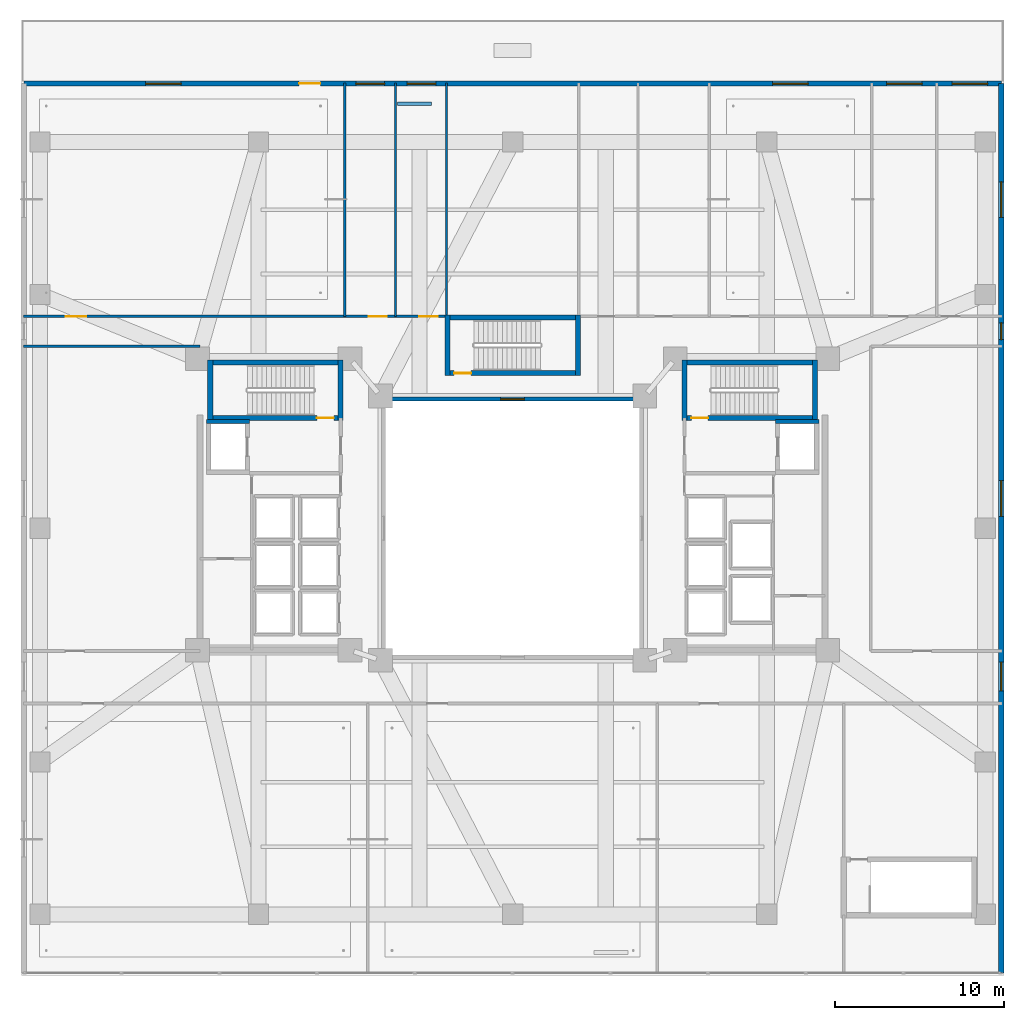
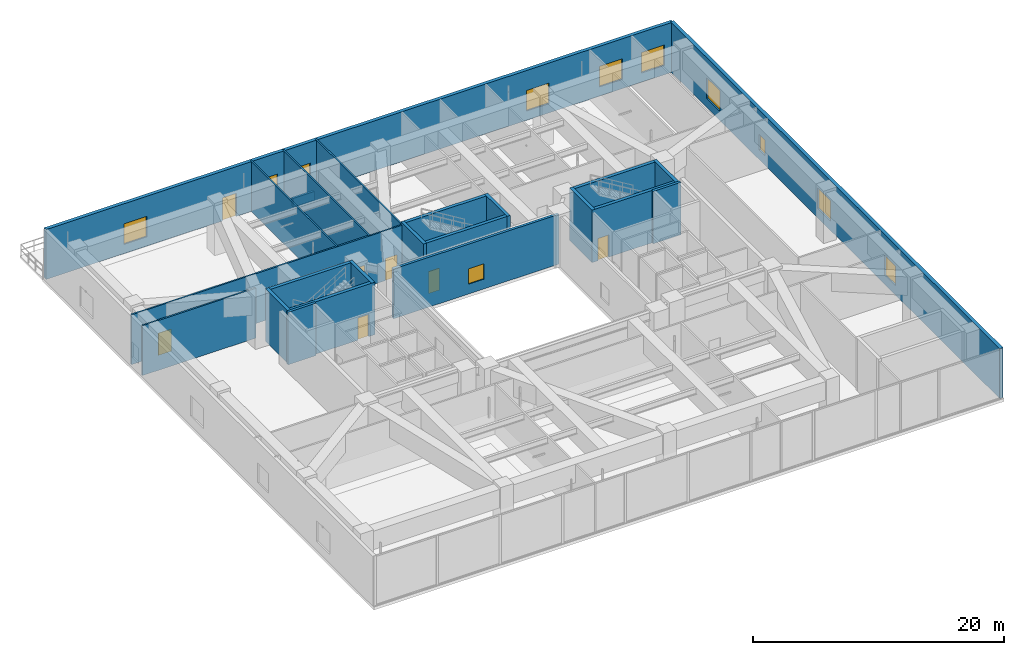
# One storey, part 12 of 21: 23 walls, 11 windows, 7 doors, 18 openings.
"""IFC4 building model written with IfcOpenShell, lengths in metres."""

from ifc_helpers import new_model, si_unit, direction, frame, frame_2d, origin, place, context, subcontext, project, spatial, rectangle, extrude, material, layer, layer_set, type_object, element, fill, save


model = new_model("IFC4")

# Units and contexts
model_context = context("Model", 3, precision=1e-05, world=origin(), true_north=direction((0.0, 1.0)))
body_context = subcontext(model_context, "Body", "Model", "MODEL_VIEW")
ifc_project = project(units=[si_unit("LENGTHUNIT", "METRE"), si_unit("AREAUNIT", "SQUARE_METRE"), si_unit("VOLUMEUNIT", "CUBIC_METRE"), si_unit("PLANEANGLEUNIT", "RADIAN"), si_unit("MASSUNIT", "GRAM", prefix="KILO")], contexts=[model_context])

# Site, building, storey
site_placement = place(None, origin())
site = spatial("IfcSite", under=ifc_project, at=site_placement, CompositionType="ELEMENT")
building_placement = place(site_placement, origin())
building = spatial("IfcBuilding", under=site, at=building_placement, Name="Tarnavaz Court Tower", CompositionType="ELEMENT")
storey_placement = place(building_placement, frame((0.0, 0.0, 18.89990234375)))
storey = spatial("IfcBuildingStorey", under=building, at=storey_placement, Name="L04", CompositionType="ELEMENT", Elevation=18.89990234375)

# Walls
ifc_material_1 = material(Name="Concrete C60/75", Category="concrete")
ifc_layer_1 = layer(ifc_material_1, 0.25)
ifc_layer_set_1 = layer_set([ifc_layer_1], Name="Concrete C60/75")
wall_type_1 = type_object("IfcWallType", Name="WL-CORE-250-C60", PredefinedType="SHEAR", material=ifc_layer_set_1)
for number, where, z_axis, x_axis, name in (
    (1, (-18.074951171875, 6.300048828125, 0.0), (0.0, 0.0, 1.0), (1.0, 0.0, 0.0), "L04 Lift FL-W1 Shaft Wall 024"),
    (2, (15.52490234375, 6.300048828125, 0.0), (0.0, 0.0, 1.0), (1.0, 0.0, 0.0), "L04 Lift FL-E1 Shaft Wall 052"),
):
    element("IfcWall", number, at=place(storey_placement, frame(where, z_axis=z_axis, x_axis=x_axis)), inside=storey, type_object=wall_type_1, Name=name, PredefinedType="SHEAR", context=body_context, shape_type="SweptSolid", body=[
        extrude(rectangle(XDim=2.550048828125, YDim=0.25, at=frame_2d((1.27490234375, 0.0))), origin(), (0.0, 0.0, 1.0), 5.10009765625),
    ])
ifc_layer_2 = layer(ifc_material_1, 0.300048828125)
ifc_layer_set_2 = layer_set([ifc_layer_2], Name="Concrete C60/75")
wall_type_2 = type_object("IfcWallType", Name="WL-CORE-300-C60", PredefinedType="SHEAR", material=ifc_layer_set_2)
wall_1_placement = place(storey_placement, frame((-18.0, 9.7900390625, 0.0), z_axis=(0.0, 0.0, 1.0), x_axis=(1.0, 0.0, 0.0)))
element("IfcWall", 3, at=wall_1_placement, inside=storey, type_object=wall_type_2, Name="L04 West Stair Core Wall 001", PredefinedType="SHEAR", context=body_context, shape_type="SweptSolid", body=[
    extrude(rectangle(XDim=8.0, YDim=0.300048828125, at=frame_2d((4.0, 0.0))), origin(), (0.0, 0.0, 1.0), 5.10009765625),
])

# Wall, opening, door
wall_2_placement = place(storey_placement, frame((-18.0, 6.5, 0.0), z_axis=(0.0, 0.0, 1.0), x_axis=(1.0, 0.0, 0.0)))
wall_2 = element("IfcWall", 4, at=wall_2_placement, inside=storey, type_object=wall_type_2, Name="L04 West Stair Core Wall 002", PredefinedType="SHEAR", context=body_context, shape_type="SweptSolid", body=[
    extrude(rectangle(XDim=8.0, YDim=0.300048828125, at=frame_2d((4.0, 0.0))), origin(), (0.0, 0.0, 1.0), 5.10009765625),
])
opening_1_placement = place(wall_2_placement, frame((6.449951171875, 0.0, 0.0)))
opening_1 = element("IfcOpeningElement", 5, at=opening_1_placement, cuts=wall_2, Name="Opening D01", PredefinedType="OPENING", context=body_context, shape_type="SweptSolid", body=[
    extrude(rectangle(XDim=1.0, YDim=2.14990234375, at=frame_2d((0.5, 1.074951171875))), frame((0.0, 0.159912109375, 0.0), z_axis=(0.0, -1.0, 0.0), x_axis=(1.0, 0.0, 0.0)), (0.0, 0.0, 1.0), 0.320068359375),
])
ifc_material_2 = material(Name="Fire-Rated Hardwood Timber Core", Category="wood")
door_type_1 = type_object("IfcDoorType", Name="DR-FD90-1000", OperationType="NOTDEFINED", PredefinedType="DOOR", material=ifc_material_2)
door_1_placement = place(opening_1_placement, origin())
door_1 = element("IfcDoor", 6, at=door_1_placement, inside=storey, type_object=door_type_1, Name="L04 Stair ST-W1 Exit Door", OperationType="SINGLE_SWING_LEFT", OverallHeight=2.14990234375, OverallWidth=1.0, PredefinedType="DOOR", context=body_context, shape_type="SweptSolid", body=[
    extrude(rectangle(XDim=1.0, YDim=2.14990234375, at=frame_2d((0.5, 1.074951171875))), frame((0.0, 0.02490234375, 0.0), z_axis=(0.0, -1.0, 0.0), x_axis=(1.0, 0.0, 0.0)), (0.0, 0.0, 1.0), 0.050048828125),
])
fill(opening_1, door_1)

# Walls
for number, where, z_axis, x_axis, name in (
    (7, (-17.85009765625, 6.35009765625, 0.0), (0.0, 0.0, 1.0), (0.0, 1.0, 0.0), "L04 West Stair Core Wall 003"),
    (8, (-10.14990234375, 6.35009765625, 0.0), (0.0, 0.0, 1.0), (0.0, 1.0, 0.0), "L04 West Stair Core Wall 004"),
):
    element("IfcWall", number, at=place(storey_placement, frame(where, z_axis=z_axis, x_axis=x_axis)), inside=storey, type_object=wall_type_2, Name=name, PredefinedType="SHEAR", context=body_context, shape_type="SweptSolid", body=[
        extrude(rectangle(XDim=3.58984375, YDim=0.300048828125, at=frame_2d((1.794921875, 0.0))), origin(), (0.0, 0.0, 1.0), 5.10009765625),
    ])
wall_3_placement = place(storey_placement, frame((10.0, 9.7900390625, 0.0), z_axis=(0.0, 0.0, 1.0), x_axis=(1.0, 0.0, 0.0)))
element("IfcWall", 9, at=wall_3_placement, inside=storey, type_object=wall_type_2, Name="L04 East Stair Core Wall 005", PredefinedType="SHEAR", context=body_context, shape_type="SweptSolid", body=[
    extrude(rectangle(XDim=8.0, YDim=0.300048828125, at=frame_2d((4.0, 0.0))), origin(), (0.0, 0.0, 1.0), 5.10009765625),
])

# Wall, opening, door
wall_4_placement = place(storey_placement, frame((10.0, 6.5, 0.0), z_axis=(0.0, 0.0, 1.0), x_axis=(1.0, 0.0, 0.0)))
wall_4 = element("IfcWall", 10, at=wall_4_placement, inside=storey, type_object=wall_type_2, Name="L04 East Stair Core Wall 006", PredefinedType="SHEAR", context=body_context, shape_type="SweptSolid", body=[
    extrude(rectangle(XDim=8.0, YDim=0.300048828125, at=frame_2d((4.0, 0.0))), origin(), (0.0, 0.0, 1.0), 5.10009765625),
])
opening_2_placement = place(wall_4_placement, frame((0.550048828125, 0.0, 0.0)))
opening_2 = element("IfcOpeningElement", 11, at=opening_2_placement, cuts=wall_4, Name="Opening D01", PredefinedType="OPENING", context=body_context, shape_type="SweptSolid", body=[
    extrude(rectangle(XDim=1.0, YDim=2.14990234375, at=frame_2d((0.5, 1.074951171875))), frame((0.0, 0.159912109375, 0.0), z_axis=(0.0, -1.0, 0.0), x_axis=(1.0, 0.0, 0.0)), (0.0, 0.0, 1.0), 0.320068359375),
])
door_2_placement = place(opening_2_placement, origin())
door_2 = element("IfcDoor", 12, at=door_2_placement, inside=storey, type_object=door_type_1, Name="L04 Stair ST-E1 Exit Door", OperationType="SINGLE_SWING_RIGHT", OverallHeight=2.14990234375, OverallWidth=1.0, PredefinedType="DOOR", context=body_context, shape_type="SweptSolid", body=[
    extrude(rectangle(XDim=1.0, YDim=2.14990234375, at=frame_2d((0.5, 1.074951171875))), frame((0.0, 0.02490234375, 0.0), z_axis=(0.0, -1.0, 0.0), x_axis=(1.0, 0.0, 0.0)), (0.0, 0.0, 1.0), 0.050048828125),
])
fill(opening_2, door_2)

# Walls
for number, where, z_axis, x_axis, name in (
    (13, (10.14990234375, 6.35009765625, 0.0), (0.0, 0.0, 1.0), (0.0, 1.0, 0.0), "L04 East Stair Core Wall 007"),
    (14, (17.85009765625, 6.35009765625, 0.0), (0.0, 0.0, 1.0), (0.0, 1.0, 0.0), "L04 East Stair Core Wall 008"),
):
    element("IfcWall", number, at=place(storey_placement, frame(where, z_axis=z_axis, x_axis=x_axis)), inside=storey, type_object=wall_type_2, Name=name, PredefinedType="SHEAR", context=body_context, shape_type="SweptSolid", body=[
        extrude(rectangle(XDim=3.58984375, YDim=0.300048828125, at=frame_2d((1.794921875, 0.0))), origin(), (0.0, 0.0, 1.0), 5.10009765625),
    ])
wall_5_placement = place(storey_placement, frame((-4.0, 12.43994140625, 0.0), z_axis=(0.0, 0.0, 1.0), x_axis=(1.0, 0.0, 0.0)))
element("IfcWall", 15, at=wall_5_placement, inside=storey, type_object=wall_type_2, Name="L04 North Stair Core Wall 009", PredefinedType="SHEAR", context=body_context, shape_type="SweptSolid", body=[
    extrude(rectangle(XDim=8.0, YDim=0.300048828125, at=frame_2d((4.0, 0.0))), origin(), (0.0, 0.0, 1.0), 5.10009765625),
])

# Wall, opening, door
wall_6_placement = place(storey_placement, frame((-4.0, 9.14990234375, 0.0), z_axis=(0.0, 0.0, 1.0), x_axis=(1.0, 0.0, 0.0)))
wall_6 = element("IfcWall", 16, at=wall_6_placement, inside=storey, type_object=wall_type_2, Name="L04 North Stair Core Wall 010", PredefinedType="SHEAR", context=body_context, shape_type="SweptSolid", body=[
    extrude(rectangle(XDim=8.0, YDim=0.300048828125, at=frame_2d((4.0, 0.0))), origin(), (0.0, 0.0, 1.0), 5.10009765625),
])
opening_3_placement = place(wall_6_placement, frame((0.550048828125, 0.0, 0.0)))
opening_3 = element("IfcOpeningElement", 17, at=opening_3_placement, cuts=wall_6, Name="Opening D01", PredefinedType="OPENING", context=body_context, shape_type="SweptSolid", body=[
    extrude(rectangle(XDim=1.0, YDim=2.14990234375, at=frame_2d((0.5, 1.074951171875))), frame((0.0, 0.159912109375, 0.0), z_axis=(0.0, -1.0, 0.0), x_axis=(1.0, 0.0, 0.0)), (0.0, 0.0, 1.0), 0.320068359375),
])
door_3_placement = place(opening_3_placement, origin())
door_3 = element("IfcDoor", 18, at=door_3_placement, inside=storey, type_object=door_type_1, Name="L04 Stair ST-N1 Exit Door", OperationType="SINGLE_SWING_LEFT", OverallHeight=2.14990234375, OverallWidth=1.0, PredefinedType="DOOR", context=body_context, shape_type="SweptSolid", body=[
    extrude(rectangle(XDim=1.0, YDim=2.14990234375, at=frame_2d((0.5, 1.074951171875))), frame((0.0, 0.02490234375, 0.0), z_axis=(0.0, -1.0, 0.0), x_axis=(1.0, 0.0, 0.0)), (0.0, 0.0, 1.0), 0.050048828125),
])
fill(opening_3, door_3)

# Walls
for number, where, z_axis, x_axis, name in (
    (19, (-3.85009765625, 9.0, 0.0), (0.0, 0.0, 1.0), (0.0, 1.0, 0.0), "L04 North Stair Core Wall 011"),
    (20, (3.85009765625, 9.0, 0.0), (0.0, 0.0, 1.0), (0.0, 1.0, 0.0), "L04 North Stair Core Wall 012"),
):
    element("IfcWall", number, at=place(storey_placement, frame(where, z_axis=z_axis, x_axis=x_axis)), inside=storey, type_object=wall_type_2, Name=name, PredefinedType="SHEAR", context=body_context, shape_type="SweptSolid", body=[
        extrude(rectangle(XDim=3.590087890625, YDim=0.300048828125, at=frame_2d((1.794921875, 0.0))), origin(), (0.0, 0.0, 1.0), 5.10009765625),
    ])

# Wall, openings, door, windows
ifc_material_3 = material(Name="Precast Concrete C40/50", Category="concrete")
ifc_layer_3 = layer(ifc_material_3, 0.320068359375)
ifc_layer_set_3 = layer_set([ifc_layer_3], Name="Precast Concrete C40/50")
wall_type_3 = type_object("IfcWallType", Name="WL-EXT-320", PredefinedType="SOLIDWALL", material=ifc_layer_set_3)
wall_7_placement = place(storey_placement, frame((-28.85009765625, 26.25, 0.0), z_axis=(0.0, 0.0, 1.0), x_axis=(1.0, 0.0, 0.0)))
wall_7 = element("IfcWall", 21, at=wall_7_placement, inside=storey, type_object=wall_type_3, Name="L04 Exterior Terracotta Facade Wall 01", PredefinedType="SOLIDWALL", context=body_context, shape_type="SweptSolid", body=[
    extrude(rectangle(XDim=57.7001953125, YDim=0.320068359375, at=frame_2d((28.85009765625, 0.0))), origin(), (0.0, 0.0, 1.0), 4.85009765625),
])
opening_4_placement = place(wall_7_placement, frame((16.25, 0.0, 0.0)))
opening_4 = element("IfcOpeningElement", 22, at=opening_4_placement, cuts=wall_7, Name="Opening TD2", PredefinedType="OPENING", context=body_context, shape_type="SweptSolid", body=[
    extrude(rectangle(XDim=1.25, YDim=2.25, at=frame_2d((0.625, 1.125))), frame((0.0, 0.169921875, 0.0), z_axis=(0.0, -1.0, 0.0), x_axis=(1.0, 0.0, 0.0)), (0.0, 0.0, 1.0), 0.340087890625),
])
opening_5_placement = place(wall_7_placement, frame((7.179931640625, 0.0, 0.89990234375)))
opening_5 = element("IfcOpeningElement", 23, at=opening_5_placement, cuts=wall_7, Name="Opening W09", PredefinedType="OPENING", context=body_context, shape_type="SweptSolid", body=[
    extrude(rectangle(XDim=2.10009765625, YDim=2.0, at=frame_2d((1.050048828125, 1.0))), frame((0.0, 0.169921875, 0.0), z_axis=(0.0, -1.0, 0.0), x_axis=(1.0, 0.0, 0.0)), (0.0, 0.0, 1.0), 0.340087890625),
])
opening_6_placement = place(wall_7_placement, frame((19.60009765625, 0.0, 0.89990234375)))
opening_6 = element("IfcOpeningElement", 24, at=opening_6_placement, cuts=wall_7, Name="Opening W10", PredefinedType="OPENING", context=body_context, shape_type="SweptSolid", body=[
    extrude(rectangle(XDim=1.699951171875, YDim=1.89990234375, at=frame_2d((0.85009765625, 0.949951171875))), frame((0.0, 0.169921875, 0.0), z_axis=(0.0, -1.0, 0.0), x_axis=(1.0, 0.0, 0.0)), (0.0, 0.0, 1.0), 0.340087890625),
])
opening_7_placement = place(wall_7_placement, frame((22.625, 0.0, 0.89990234375)))
opening_7 = element("IfcOpeningElement", 25, at=opening_7_placement, cuts=wall_7, Name="Opening W10", PredefinedType="OPENING", context=body_context, shape_type="SweptSolid", body=[
    extrude(rectangle(XDim=1.699951171875, YDim=1.89990234375, at=frame_2d((0.85009765625, 0.949951171875))), frame((0.0, 0.169921875, 0.0), z_axis=(0.0, -1.0, 0.0), x_axis=(1.0, 0.0, 0.0)), (0.0, 0.0, 1.0), 0.340087890625),
])
opening_8_placement = place(wall_7_placement, frame((44.199951171875, 0.0, 0.89990234375)))
opening_8 = element("IfcOpeningElement", 26, at=opening_8_placement, cuts=wall_7, Name="Opening W09", PredefinedType="OPENING", context=body_context, shape_type="SweptSolid", body=[
    extrude(rectangle(XDim=2.10009765625, YDim=2.0, at=frame_2d((1.050048828125, 1.0))), frame((0.0, 0.169921875, 0.0), z_axis=(0.0, -1.0, 0.0), x_axis=(1.0, 0.0, 0.0)), (0.0, 0.0, 1.0), 0.340087890625),
])
opening_9_placement = place(wall_7_placement, frame((50.925048828125, 0.0, 0.89990234375)))
opening_9 = element("IfcOpeningElement", 27, at=opening_9_placement, cuts=wall_7, Name="Opening W09", PredefinedType="OPENING", context=body_context, shape_type="SweptSolid", body=[
    extrude(rectangle(XDim=2.10009765625, YDim=2.0, at=frame_2d((1.050048828125, 1.0))), frame((0.0, 0.169921875, 0.0), z_axis=(0.0, -1.0, 0.0), x_axis=(1.0, 0.0, 0.0)), (0.0, 0.0, 1.0), 0.340087890625),
])
opening_10_placement = place(wall_7_placement, frame((54.800048828125, 0.0, 0.89990234375)))
opening_10 = element("IfcOpeningElement", 28, at=opening_10_placement, cuts=wall_7, Name="Opening W09", PredefinedType="OPENING", context=body_context, shape_type="SweptSolid", body=[
    extrude(rectangle(XDim=2.10009765625, YDim=2.0, at=frame_2d((1.050048828125, 1.0))), frame((0.0, 0.169921875, 0.0), z_axis=(0.0, -1.0, 0.0), x_axis=(1.0, 0.0, 0.0)), (0.0, 0.0, 1.0), 0.340087890625),
])
ifc_material_4 = material(Name="Thermally Broken Aluminium and Laminated Glass", Category="aluminium")
door_type_2 = type_object("IfcDoorType", Name="DR-TERR-1250", OperationType="NOTDEFINED", PredefinedType="DOOR", material=ifc_material_4)
door_4_placement = place(opening_4_placement, origin())
door_4 = element("IfcDoor", 29, at=door_4_placement, inside=storey, type_object=door_type_2, Name="L04 Sky Terrace Access Door 1", OperationType="SINGLE_SWING_LEFT", OverallHeight=2.25, OverallWidth=1.25, PredefinedType="DOOR", context=body_context, shape_type="SweptSolid", body=[
    extrude(rectangle(XDim=1.25, YDim=2.25, at=frame_2d((0.625, 1.125))), frame((0.0, 0.02490234375, 0.0), z_axis=(0.0, -1.0, 0.0), x_axis=(1.0, 0.0, 0.0)), (0.0, 0.0, 1.0), 0.050048828125),
])
fill(opening_4, door_4)
ifc_material_5 = material(Name="Double-Glazed Solar Low-E Glass", Category="glass")
window_type_1 = type_object("IfcWindowType", Name="WN-CLN-1700", PartitioningType="DOUBLE_PANEL_VERTICAL", PredefinedType="WINDOW", material=ifc_material_5)
window_1_placement = place(opening_6_placement, origin())
window_1 = element("IfcWindow", 30, at=window_1_placement, inside=storey, type_object=window_type_1, Name="L04 Vocational Maker Workshop Studio Window", OverallHeight=1.89990234375, OverallWidth=1.699951171875, PartitioningType="SINGLE_PANEL", PredefinedType="WINDOW", context=body_context, shape_type="SweptSolid", body=[
    extrude(rectangle(XDim=1.699951171875, YDim=1.89990234375, at=frame_2d((0.85009765625, 0.949951171875))), frame((0.0, 0.030029296875, 0.0), z_axis=(0.0, -1.0, 0.0), x_axis=(1.0, 0.0, 0.0)), (0.0, 0.0, 1.0), 0.06005859375),
])
fill(opening_6, window_1)
window_2_placement = place(opening_7_placement, origin())
window_2 = element("IfcWindow", 31, at=window_2_placement, inside=storey, type_object=window_type_1, Name="L04 L04 Consultation Room North Window", OverallHeight=1.89990234375, OverallWidth=1.699951171875, PartitioningType="SINGLE_PANEL", PredefinedType="WINDOW", context=body_context, shape_type="SweptSolid", body=[
    extrude(rectangle(XDim=1.699951171875, YDim=1.89990234375, at=frame_2d((0.85009765625, 0.949951171875))), frame((0.0, 0.030029296875, 0.0), z_axis=(0.0, -1.0, 0.0), x_axis=(1.0, 0.0, 0.0)), (0.0, 0.0, 1.0), 0.06005859375),
])
fill(opening_7, window_2)
window_type_2 = type_object("IfcWindowType", Name="WN-CLN-2100", PartitioningType="DOUBLE_PANEL_VERTICAL", PredefinedType="WINDOW", material=ifc_material_5)
window_3_placement = place(opening_5_placement, origin())
window_3 = element("IfcWindow", 32, at=window_3_placement, inside=storey, type_object=window_type_2, Name="L04 Resident Community Multipurpose Hall Window", OverallHeight=2.0, OverallWidth=2.10009765625, PartitioningType="SINGLE_PANEL", PredefinedType="WINDOW", context=body_context, shape_type="SweptSolid", body=[
    extrude(rectangle(XDim=2.10009765625, YDim=2.0, at=frame_2d((1.050048828125, 1.0))), frame((0.0, 0.030029296875, 0.0), z_axis=(0.0, -1.0, 0.0), x_axis=(1.0, 0.0, 0.0)), (0.0, 0.0, 1.0), 0.06005859375),
])
fill(opening_5, window_3)
window_4_placement = place(opening_8_placement, origin())
window_4 = element("IfcWindow", 33, at=window_4_placement, inside=storey, type_object=window_type_2, Name="L04 L04 Staff Administration Office Window", OverallHeight=2.0, OverallWidth=2.10009765625, PartitioningType="SINGLE_PANEL", PredefinedType="WINDOW", context=body_context, shape_type="SweptSolid", body=[
    extrude(rectangle(XDim=2.10009765625, YDim=2.0, at=frame_2d((1.050048828125, 1.0))), frame((0.0, 0.030029296875, 0.0), z_axis=(0.0, -1.0, 0.0), x_axis=(1.0, 0.0, 0.0)), (0.0, 0.0, 1.0), 0.06005859375),
])
fill(opening_8, window_4)
window_5_placement = place(opening_9_placement, origin())
window_5 = element("IfcWindow", 34, at=window_5_placement, inside=storey, type_object=window_type_2, Name="L04 Community Health Education Seminar Hall Window", OverallHeight=2.0, OverallWidth=2.10009765625, PartitioningType="SINGLE_PANEL", PredefinedType="WINDOW", context=body_context, shape_type="SweptSolid", body=[
    extrude(rectangle(XDim=2.10009765625, YDim=2.0, at=frame_2d((1.050048828125, 1.0))), frame((0.0, 0.030029296875, 0.0), z_axis=(0.0, -1.0, 0.0), x_axis=(1.0, 0.0, 0.0)), (0.0, 0.0, 1.0), 0.06005859375),
])
fill(opening_9, window_5)
window_6_placement = place(opening_10_placement, origin())
window_6 = element("IfcWindow", 35, at=window_6_placement, inside=storey, type_object=window_type_2, Name="L04 L04 Specialist Consultation Office Window", OverallHeight=2.0, OverallWidth=2.10009765625, PartitioningType="SINGLE_PANEL", PredefinedType="WINDOW", context=body_context, shape_type="SweptSolid", body=[
    extrude(rectangle(XDim=2.10009765625, YDim=2.0, at=frame_2d((1.050048828125, 1.0))), frame((0.0, 0.030029296875, 0.0), z_axis=(0.0, -1.0, 0.0), x_axis=(1.0, 0.0, 0.0)), (0.0, 0.0, 1.0), 0.06005859375),
])
fill(opening_10, window_6)

# Wall, openings, windows
wall_8_placement = place(storey_placement, frame((28.85009765625, 26.25, 0.0), z_axis=(0.0, 0.0, 1.0), x_axis=(0.0, -1.0, 0.0)))
wall_8 = element("IfcWall", 36, at=wall_8_placement, inside=storey, type_object=wall_type_3, Name="L04 Exterior Terracotta Facade Wall 02", PredefinedType="SOLIDWALL", context=body_context, shape_type="SweptSolid", body=[
    extrude(rectangle(XDim=52.5, YDim=0.320068359375, at=frame_2d((26.25, 0.0))), origin(), (0.0, 0.0, 1.0), 4.85009765625),
])
opening_11_placement = place(wall_8_placement, frame((5.800048828125, 0.0, 0.89990234375)))
opening_11 = element("IfcOpeningElement", 37, at=opening_11_placement, cuts=wall_8, Name="Opening W09", PredefinedType="OPENING", context=body_context, shape_type="SweptSolid", body=[
    extrude(rectangle(XDim=2.10009765625, YDim=2.0, at=frame_2d((1.050048828125, 1.0))), frame((0.0, 0.169921875, 0.0), z_axis=(0.0, -1.0, 0.0), x_axis=(1.0, 0.0, 0.0)), (0.0, 0.0, 1.0), 0.340087890625),
])
opening_12_placement = place(wall_8_placement, frame((14.125, 0.0, 0.949951171875)))
opening_12 = element("IfcOpeningElement", 38, at=opening_12_placement, cuts=wall_8, Name="Opening W14", PredefinedType="OPENING", context=body_context, shape_type="SweptSolid", body=[
    extrude(rectangle(XDim=1.0, YDim=1.5, at=frame_2d((0.5, 0.75))), frame((0.0, 0.169921875, 0.0), z_axis=(0.0, -1.0, 0.0), x_axis=(1.0, 0.0, 0.0)), (0.0, 0.0, 1.0), 0.340087890625),
])
opening_13_placement = place(wall_8_placement, frame((23.449951171875, 0.0, 0.89990234375)))
opening_13 = element("IfcOpeningElement", 39, at=opening_13_placement, cuts=wall_8, Name="Opening W09", PredefinedType="OPENING", context=body_context, shape_type="SweptSolid", body=[
    extrude(rectangle(XDim=2.10009765625, YDim=2.0, at=frame_2d((1.050048828125, 1.0))), frame((0.0, 0.169921875, 0.0), z_axis=(0.0, -1.0, 0.0), x_axis=(1.0, 0.0, 0.0)), (0.0, 0.0, 1.0), 0.340087890625),
])
opening_14_placement = place(wall_8_placement, frame((34.157470703125, 0.0, 0.89990234375)))
opening_14 = element("IfcOpeningElement", 40, at=opening_14_placement, cuts=wall_8, Name="Opening W10", PredefinedType="OPENING", context=body_context, shape_type="SweptSolid", body=[
    extrude(rectangle(XDim=1.699951171875, YDim=1.89990234375, at=frame_2d((0.85009765625, 0.949951171875))), frame((0.0, 0.169921875, 0.0), z_axis=(0.0, -1.0, 0.0), x_axis=(1.0, 0.0, 0.0)), (0.0, 0.0, 1.0), 0.340087890625),
])
window_type_3 = type_object("IfcWindowType", Name="WN-APT-1000", PartitioningType="SINGLE_PANEL", PredefinedType="WINDOW", material=ifc_material_5)
window_7_placement = place(opening_12_placement, origin())
window_7 = element("IfcWindow", 41, at=window_7_placement, inside=storey, type_object=window_type_3, Name="L04 North-East Wing Corridor Window", OverallHeight=1.5, OverallWidth=1.0, PartitioningType="SINGLE_PANEL", PredefinedType="WINDOW", context=body_context, shape_type="SweptSolid", body=[
    extrude(rectangle(XDim=1.0, YDim=1.5, at=frame_2d((0.5, 0.75))), frame((0.0, 0.030029296875, 0.0), z_axis=(0.0, -1.0, 0.0), x_axis=(1.0, 0.0, 0.0)), (0.0, 0.0, 1.0), 0.06005859375),
])
fill(opening_12, window_7)
window_8_placement = place(opening_14_placement, origin())
window_8 = element("IfcWindow", 42, at=window_8_placement, inside=storey, type_object=window_type_1, Name="L04 South-East Wing Corridor Window", OverallHeight=1.89990234375, OverallWidth=1.699951171875, PartitioningType="SINGLE_PANEL", PredefinedType="WINDOW", context=body_context, shape_type="SweptSolid", body=[
    extrude(rectangle(XDim=1.699951171875, YDim=1.89990234375, at=frame_2d((0.85009765625, 0.949951171875))), frame((0.0, 0.030029296875, 0.0), z_axis=(0.0, -1.0, 0.0), x_axis=(1.0, 0.0, 0.0)), (0.0, 0.0, 1.0), 0.06005859375),
])
fill(opening_14, window_8)
window_9_placement = place(opening_11_placement, origin())
window_9 = element("IfcWindow", 43, at=window_9_placement, inside=storey, type_object=window_type_2, Name="L04 L04 Specialist Consultation Office Window", OverallHeight=2.0, OverallWidth=2.10009765625, PartitioningType="SINGLE_PANEL", PredefinedType="WINDOW", context=body_context, shape_type="SweptSolid", body=[
    extrude(rectangle(XDim=2.10009765625, YDim=2.0, at=frame_2d((1.050048828125, 1.0))), frame((0.0, 0.030029296875, 0.0), z_axis=(0.0, -1.0, 0.0), x_axis=(1.0, 0.0, 0.0)), (0.0, 0.0, 1.0), 0.06005859375),
])
fill(opening_11, window_9)
window_10_placement = place(opening_13_placement, origin())
window_10 = element("IfcWindow", 44, at=window_10_placement, inside=storey, type_object=window_type_2, Name="L04 L04 East Chahar-Bagh Clinical Lounge Window", OverallHeight=2.0, OverallWidth=2.10009765625, PartitioningType="SINGLE_PANEL", PredefinedType="WINDOW", context=body_context, shape_type="SweptSolid", body=[
    extrude(rectangle(XDim=2.10009765625, YDim=2.0, at=frame_2d((1.050048828125, 1.0))), frame((0.0, 0.030029296875, 0.0), z_axis=(0.0, -1.0, 0.0), x_axis=(1.0, 0.0, 0.0)), (0.0, 0.0, 1.0), 0.06005859375),
])
fill(opening_13, window_10)

# Wall, openings, doors
ifc_material_6 = material(Name="Gypsum Fire-Board on Acoustic Metal Stud", Category="masonry")
ifc_layer_4 = layer(ifc_material_6, 0.14990234375)
ifc_layer_set_4 = layer_set([ifc_layer_4], Name="Gypsum Fire-Board on Acoustic Metal Stud")
wall_type_4 = type_object("IfcWallType", Name="WL-FIRE-150", PredefinedType="PARTITIONING", material=ifc_layer_set_4)
wall_9_placement = place(storey_placement, frame((-28.8798828125, 12.5, 0.0), z_axis=(0.0, 0.0, 1.0), x_axis=(1.0, 0.0, 0.0)))
wall_9 = element("IfcWall", 45, at=wall_9_placement, inside=storey, type_object=wall_type_4, Name="L04 NW Wing Corridor Wall 085", PredefinedType="PARTITIONING", context=body_context, shape_type="SweptSolid", body=[
    extrude(rectangle(XDim=25.02978515625, YDim=0.14990234375, at=frame_2d((12.514892578125, 0.0))), origin(), (0.0, 0.0, 1.0), 4.85009765625),
])
opening_15_placement = place(wall_9_placement, frame((2.5, 0.0, 0.0)))
opening_15 = element("IfcOpeningElement", 46, at=opening_15_placement, cuts=wall_9, Name="Opening D11", PredefinedType="OPENING", context=body_context, shape_type="SweptSolid", body=[
    extrude(rectangle(XDim=1.199951171875, YDim=2.14990234375, at=frame_2d((0.60009765625, 1.074951171875))), frame((0.0, 0.0849609375, 0.0), z_axis=(0.0, -1.0, 0.0), x_axis=(1.0, 0.0, 0.0)), (0.0, 0.0, 1.0), 0.169921875),
])
opening_16_placement = place(wall_9_placement, frame((20.3798828125, 0.0, 0.0)))
opening_16 = element("IfcOpeningElement", 47, at=opening_16_placement, cuts=wall_9, Name="Opening D12", PredefinedType="OPENING", context=body_context, shape_type="SweptSolid", body=[
    extrude(rectangle(XDim=1.080078125, YDim=2.14990234375, at=frame_2d((0.5400390625, 1.074951171875))), frame((0.0, 0.0849609375, 0.0), z_axis=(0.0, -1.0, 0.0), x_axis=(1.0, 0.0, 0.0)), (0.0, 0.0, 1.0), 0.169921875),
])
opening_17_placement = place(wall_9_placement, frame((23.3701171875, 0.0, 0.0)))
opening_17 = element("IfcOpeningElement", 48, at=opening_17_placement, cuts=wall_9, Name="Opening D12", PredefinedType="OPENING", context=body_context, shape_type="SweptSolid", body=[
    extrude(rectangle(XDim=1.080078125, YDim=2.14990234375, at=frame_2d((0.5400390625, 1.074951171875))), frame((0.0, 0.0849609375, 0.0), z_axis=(0.0, -1.0, 0.0), x_axis=(1.0, 0.0, 0.0)), (0.0, 0.0, 1.0), 0.169921875),
])
ifc_material_7 = material(Name="Engineered Oak Timber", Category="wood")
door_type_3 = type_object("IfcDoorType", Name="DR-INT-1100", OperationType="NOTDEFINED", PredefinedType="DOOR", material=ifc_material_7)
door_5_placement = place(opening_16_placement, origin())
door_5 = element("IfcDoor", 49, at=door_5_placement, inside=storey, type_object=door_type_3, Name="L04 Vocational Maker Workshop Studio Door", OperationType="SINGLE_SWING_LEFT", OverallHeight=2.14990234375, OverallWidth=1.080078125, PredefinedType="DOOR", context=body_context, shape_type="SweptSolid", body=[
    extrude(rectangle(XDim=1.080078125, YDim=2.14990234375, at=frame_2d((0.5400390625, 1.074951171875))), frame((0.0, 0.02490234375, 0.0), z_axis=(0.0, -1.0, 0.0), x_axis=(1.0, 0.0, 0.0)), (0.0, 0.0, 1.0), 0.050048828125),
])
fill(opening_16, door_5)
door_6_placement = place(opening_17_placement, origin())
door_6 = element("IfcDoor", 50, at=door_6_placement, inside=storey, type_object=door_type_3, Name="L04 North Consultation Door", OperationType="SINGLE_SWING_RIGHT", OverallHeight=2.14990234375, OverallWidth=1.080078125, PredefinedType="DOOR", context=body_context, shape_type="SweptSolid", body=[
    extrude(rectangle(XDim=1.080078125, YDim=2.14990234375, at=frame_2d((0.5400390625, 1.074951171875))), frame((0.0, 0.02490234375, 0.0), z_axis=(0.0, -1.0, 0.0), x_axis=(1.0, 0.0, 0.0)), (0.0, 0.0, 1.0), 0.050048828125),
])
fill(opening_17, door_6)
door_type_4 = type_object("IfcDoorType", Name="DR-INT-1200", OperationType="NOTDEFINED", PredefinedType="DOOR", material=ifc_material_7)
door_7_placement = place(opening_15_placement, origin())
door_7 = element("IfcDoor", 51, at=door_7_placement, inside=storey, type_object=door_type_4, Name="L04 Resident Community Multipurpose Hall Door", OperationType="SINGLE_SWING_RIGHT", OverallHeight=2.14990234375, OverallWidth=1.199951171875, PredefinedType="DOOR", context=body_context, shape_type="SweptSolid", body=[
    extrude(rectangle(XDim=1.199951171875, YDim=2.14990234375, at=frame_2d((0.60009765625, 1.074951171875))), frame((0.0, 0.02490234375, 0.0), z_axis=(0.0, -1.0, 0.0), x_axis=(1.0, 0.0, 0.0)), (0.0, 0.0, 1.0), 0.050048828125),
])
fill(opening_15, door_7)

# Walls
wall_10_placement = place(storey_placement, frame((-28.8798828125, 10.75, 0.0), z_axis=(0.0, 0.0, 1.0), x_axis=(1.0, 0.0, 0.0)))
element("IfcWall", 52, at=wall_10_placement, inside=storey, type_object=wall_type_4, Name="L04 Interior Partition 104", PredefinedType="PARTITIONING", context=body_context, shape_type="SweptSolid", body=[
    extrude(rectangle(XDim=10.429931640625, YDim=0.14990234375, at=frame_2d((5.21484375, 0.0))), origin(), (0.0, 0.0, 1.0), 4.85009765625),
])
ifc_layer_5 = layer(ifc_material_3, 0.219970703125)
ifc_layer_set_5 = layer_set([ifc_layer_5], Name="Precast Concrete C40/50")
wall_type_5 = type_object("IfcWallType", Name="WL-PARAPET-220", PredefinedType="PARAPET", material=ifc_layer_set_5)
wall_11_placement = place(storey_placement, frame((-6.800048828125, 25.050048828125, 0.0), z_axis=(0.0, 0.0, 1.0), x_axis=(1.0, 0.0, 0.0)))
element("IfcWall", 53, at=wall_11_placement, inside=storey, type_object=wall_type_5, Name="L04 North Prow Terracotta Parapet Upstand", PredefinedType="PARAPET", context=body_context, shape_type="SweptSolid", body=[
    extrude(rectangle(XDim=2.0, YDim=0.219970703125, at=frame_2d((1.0, 0.0))), origin(), (0.0, 0.0, 1.0), 0.85009765625),
])
ifc_material_8 = material(Name="Gypsum Plasterboard Acoustic Partition", Category="masonry")
ifc_layer_6 = layer(ifc_material_8, 0.139892578125)
ifc_layer_set_6 = layer_set([ifc_layer_6], Name="Gypsum Plasterboard Acoustic Partition")
wall_type_6 = type_object("IfcWallType", Name="WL-PART-150", PredefinedType="PARTITIONING", material=ifc_layer_set_6)
for number, where, z_axis, x_axis, name in (
    (54, (-3.89990234375, 12.5, 0.0), (0.0, 0.0, 1.0), (0.0, 1.0, 0.0), "L04 Interior Partition 091"),
    (55, (-9.89990234375, 12.5, 0.0), (0.0, 0.0, 1.0), (0.0, 1.0, 0.0), "L04 Interior Partition 093"),
    (56, (-6.909912109375, 12.5, 0.0), (0.0, 0.0, 1.0), (0.0, 1.0, 0.0), "L04 Interior Partition 094"),
):
    element("IfcWall", number, at=place(storey_placement, frame(where, z_axis=z_axis, x_axis=x_axis)), inside=storey, type_object=wall_type_6, Name=name, PredefinedType="PARTITIONING", context=body_context, shape_type="SweptSolid", body=[
        extrude(rectangle(XDim=13.780029296875, YDim=0.139892578125, at=frame_2d((6.89013671875, 0.0))), origin(), (0.0, 0.0, 1.0), 4.85009765625),
    ])

# Wall, opening, window
ifc_layer_7 = layer(ifc_material_3, 0.239990234375)
ifc_layer_set_7 = layer_set([ifc_layer_7], Name="Precast Concrete C40/50")
wall_type_7 = type_object("IfcWallType", Name="WL-WELL-240", PredefinedType="SOLIDWALL", material=ifc_layer_set_7)
wall_12_placement = place(storey_placement, frame((7.6201171875, 7.6201171875, 0.0), z_axis=(0.0, 0.0, 1.0), x_axis=(-1.0, 0.0, 0.0)))
wall_12 = element("IfcWall", 57, at=wall_12_placement, inside=storey, type_object=wall_type_7, Name="L04 Badgir Light-Well Exterior Wall N", PredefinedType="SOLIDWALL", context=body_context, shape_type="SweptSolid", body=[
    extrude(rectangle(XDim=15.240234375, YDim=0.239990234375, at=frame_2d((7.6201171875, 0.0))), origin(), (0.0, 0.0, 1.0), 4.85009765625),
])
opening_18_placement = place(wall_12_placement, frame((6.919921875, 0.0, 0.949951171875)))
opening_18 = element("IfcOpeningElement", 58, at=opening_18_placement, cuts=wall_12, Name="Opening W13", PredefinedType="OPENING", context=body_context, shape_type="SweptSolid", body=[
    extrude(rectangle(XDim=1.39990234375, YDim=1.5, at=frame_2d((0.699951171875, 0.75))), frame((0.0, 0.1298828125, 0.0), z_axis=(0.0, -1.0, 0.0), x_axis=(1.0, 0.0, 0.0)), (0.0, 0.0, 1.0), 0.260009765625),
])
window_type_4 = type_object("IfcWindowType", Name="WN-WEL-1400", PartitioningType="SINGLE_PANEL", PredefinedType="WINDOW", material=ifc_material_5)
window_11_placement = place(opening_18_placement, origin())
window_11 = element("IfcWindow", 59, at=window_11_placement, inside=storey, type_object=window_type_4, Name="L04 Courtyard Gallery Window N", OverallHeight=1.5, OverallWidth=1.39990234375, PartitioningType="SINGLE_PANEL", PredefinedType="WINDOW", context=body_context, shape_type="SweptSolid", body=[
    extrude(rectangle(XDim=1.39990234375, YDim=1.5, at=frame_2d((0.699951171875, 0.75))), frame((0.0, 0.030029296875, 0.0), z_axis=(0.0, -1.0, 0.0), x_axis=(1.0, 0.0, 0.0)), (0.0, 0.0, 1.0), 0.06005859375),
])
fill(opening_18, window_11)

save(model, "model.ifc")
